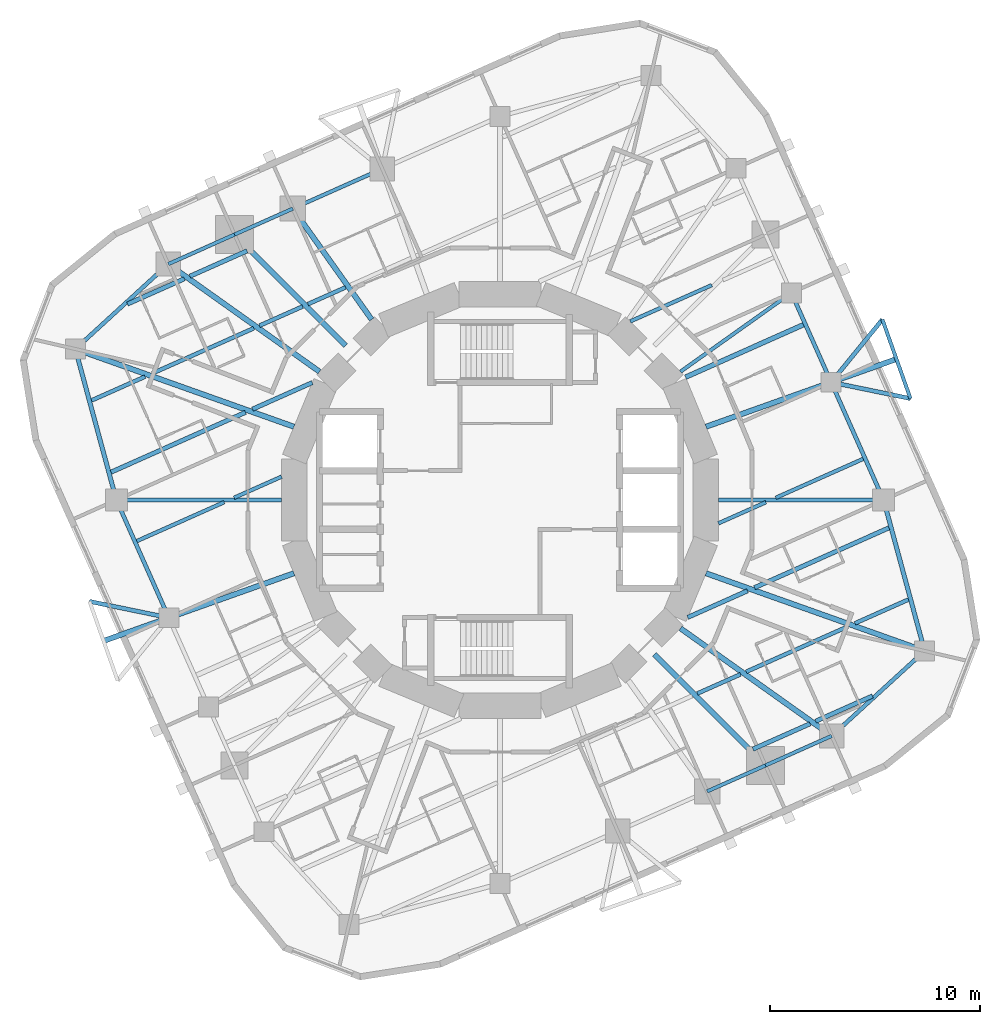
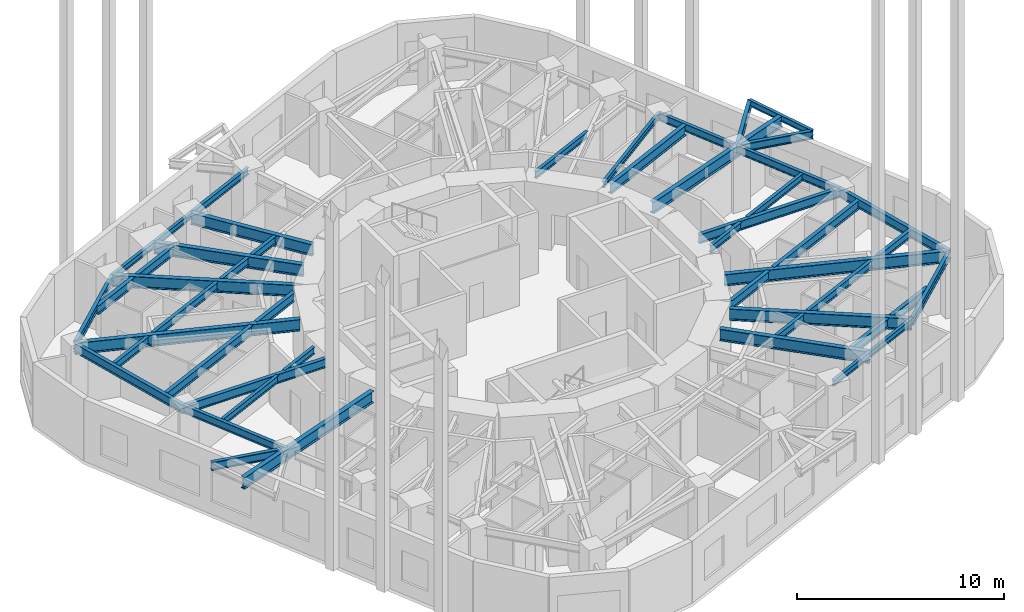
# One storey, part 2 of 11: 49 beams.
"""IFC4 building model written with IfcOpenShell, lengths in metres."""

from ifc_helpers import new_model, si_unit, direction, frame, origin, origin_2d, place, context, subcontext, project, spatial, i_section, extrude, material, material_profile, profile_set, type_object, element, save


model = new_model("IFC4")

# Units and contexts
model_context = context("Model", 3, precision=1e-05, world=origin(), true_north=direction((0.0, 1.0)))
body_context = subcontext(model_context, "Body", "Model", "MODEL_VIEW")
ifc_project = project(units=[si_unit("LENGTHUNIT", "METRE"), si_unit("AREAUNIT", "SQUARE_METRE"), si_unit("VOLUMEUNIT", "CUBIC_METRE"), si_unit("PLANEANGLEUNIT", "RADIAN"), si_unit("MASSUNIT", "GRAM", prefix="KILO")], contexts=[model_context])

# Site, building, storey
site_placement = place(None, origin())
site = spatial("IfcSite", under=ifc_project, at=site_placement, CompositionType="ELEMENT")
building_placement = place(site_placement, origin())
building = spatial("IfcBuilding", under=site, at=building_placement, Name="Nakasero Lantern House", CompositionType="ELEMENT")
storey_placement = place(building_placement, frame((0.0, 0.0, 182.449951171875)))
storey = spatial("IfcBuildingStorey", under=building, at=storey_placement, Name="L44", CompositionType="ELEMENT", Elevation=182.449951171875)

# Beams
ifc_material_1 = material(Name="Steel S355", Category="steel")
ifc_material_profile_1 = material_profile(ifc_material_1, i_section(OverallWidth=0.199462890625, OverallDepth=0.491943359375, WebThickness=0.01806640625, FlangeThickness=0.031982421875, FilletRadius=0.01025390625, at=origin_2d()), Name="UB 457x191x161")
ifc_profile_set_1 = profile_set([ifc_material_profile_1], Name="Steel S355")
beam_type_1 = type_object("IfcBeamType", Name="Balcony splay beam UB 457x191x161", PredefinedType="BEAM", material=ifc_profile_set_1)
beam_1_placement = place(storey_placement, frame((15.781982421875, 5.611328125, 3.404052734375), z_axis=(0.632165712937, 0.774833215206, 0.0), x_axis=(-0.774833215206, 0.632165712937, 0.0)))
element("IfcBeam", 1, at=beam_1_placement, inside=storey, type_object=beam_type_1, Name="Balcony splay beam L45 B5-C04A", PredefinedType="BEAM", context=body_context, shape_type="SweptSolid", body=[
    extrude(i_section(OverallWidth=0.199462890625, OverallDepth=0.491943359375, WebThickness=0.01806640625, FlangeThickness=0.031982421875, FilletRadius=0.01025390625, at=origin_2d()), origin(), (0.0, 0.0, 1.0), 3.85888671875),
])
for number, where, z_axis, x_axis, name in (
    (2, (15.781982421875, 5.611328125, 3.404052734375), (0.979420272605, -0.201831438605, 0.0), (0.201831438605, 0.979420272605, 0.0), "Balcony splay beam L45 B5-C04B"),
    (3, (-15.781982421875, -5.611328125, 3.404052734375), (-0.979420272605, 0.201831438605, 0.0), (-0.201831438605, -0.979420272605, 0.0), "Balcony splay beam L45 B5-C16B"),
):
    element("IfcBeam", number, at=place(storey_placement, frame(where, z_axis=z_axis, x_axis=x_axis)), inside=storey, type_object=beam_type_1, Name=name, PredefinedType="BEAM", context=body_context, shape_type="SweptSolid", body=[
        extrude(i_section(OverallWidth=0.199462890625, OverallDepth=0.491943359375, WebThickness=0.01806640625, FlangeThickness=0.031982421875, FilletRadius=0.01025390625, at=origin_2d()), origin(), (0.0, 0.0, 1.0), 3.858642578125),
    ])
ifc_material_2 = material(Name="Steel S355", Category="steel")
ifc_material_profile_2 = material_profile(ifc_material_2, i_section(OverallWidth=0.17138671875, OverallDepth=0.35498046875, WebThickness=0.00732421875, FlangeThickness=0.011474609375, FilletRadius=0.01025390625, at=origin_2d()), Name="UB 356x171x51")
ifc_profile_set_2 = profile_set([ifc_material_profile_2], Name="Steel S355")
beam_type_2 = type_object("IfcBeamType", Name="Balcony tie beam UB 356x171x51", PredefinedType="BEAM", material=ifc_profile_set_2)
beam_2_placement = place(storey_placement, frame((18.221435546875, 8.601318359375, 3.47265625), z_axis=(0.334971134582, -0.94222839004, 0.0), x_axis=(0.94222839004, 0.334971134582, 0.0)))
element("IfcBeam", 4, at=beam_2_placement, inside=storey, type_object=beam_type_2, Name="Balcony tie beam L45 B5-C04", PredefinedType="BEAM", context=body_context, shape_type="SweptSolid", body=[
    extrude(i_section(OverallWidth=0.17138671875, OverallDepth=0.35498046875, WebThickness=0.00732421875, FlangeThickness=0.011474609375, FilletRadius=0.01025390625, at=origin_2d()), origin(), (0.0, 0.0, 1.0), 4.0),
])
ifc_material_3 = material(Name="Steel S355", Category="steel")
ifc_material_profile_3 = material_profile(ifc_material_3, i_section(OverallWidth=0.177978515625, OverallDepth=0.406494140625, WebThickness=0.0078125, FlangeThickness=0.0126953125, FilletRadius=0.01025390625, at=origin_2d()), Name="UB 406x178x60")
ifc_profile_set_3 = profile_set([ifc_material_profile_3], Name="Steel S355")
beam_type_3 = type_object("IfcBeamType", Name="Infill beam UB 406x178x60", PredefinedType="JOIST", material=ifc_profile_set_3)
beam_3_placement = place(storey_placement, frame((10.407958984375, -1.113037109375, 3.44677734375), z_axis=(0.913531019811, 0.406769069427, 0.0), x_axis=(-0.406769069427, 0.913531019811, 0.0)))
element("IfcBeam", 5, at=beam_3_placement, inside=storey, type_object=beam_type_3, Name="Infill beam L45 06.3", PredefinedType="JOIST", context=body_context, shape_type="SweptSolid", body=[
    extrude(i_section(OverallWidth=0.177978515625, OverallDepth=0.406494140625, WebThickness=0.0078125, FlangeThickness=0.0126953125, FilletRadius=0.01025390625, at=origin_2d()), origin(), (0.0, 0.0, 1.0), 2.478271484375),
])
for number, where, z_axis, x_axis, name in (
    (6, (13.1435546875, 0.10498046875, 3.44677734375), (0.913537236337, 0.406755107929, 0.0), (-0.406755107929, 0.913537236337, 0.0), "Infill beam L45 06.4"),
    (7, (-17.30419921875, -1.95751953125, 3.44677734375), (0.913537236337, 0.406755107929, 0.0), (-0.406755107929, 0.913537236337, 0.0), "Infill beam L45 09.1"),
):
    element("IfcBeam", number, at=place(storey_placement, frame(where, z_axis=z_axis, x_axis=x_axis)), inside=storey, type_object=beam_type_3, Name=name, PredefinedType="JOIST", context=body_context, shape_type="SweptSolid", body=[
        extrude(i_section(OverallWidth=0.177978515625, OverallDepth=0.406494140625, WebThickness=0.0078125, FlangeThickness=0.0126953125, FilletRadius=0.01025390625, at=origin_2d()), origin(), (0.0, 0.0, 1.0), 4.554443359375),
    ])
beam_4_placement = place(storey_placement, frame((-12.671875, 0.10498046875, 3.44677734375), z_axis=(0.913531019811, 0.406769069427, 0.0), x_axis=(-0.406769069427, 0.913531019811, 0.0)))
element("IfcBeam", 8, at=beam_4_placement, inside=storey, type_object=beam_type_3, Name="Infill beam L45 09.2", PredefinedType="JOIST", context=body_context, shape_type="SweptSolid", body=[
    extrude(i_section(OverallWidth=0.177978515625, OverallDepth=0.406494140625, WebThickness=0.0078125, FlangeThickness=0.0126953125, FilletRadius=0.01025390625, at=origin_2d()), origin(), (0.0, 0.0, 1.0), 2.478271484375),
])
beam_5_placement = place(storey_placement, frame((6.2080078125, 8.5107421875, 3.44677734375), z_axis=(0.91354134882, 0.406745871517, 0.0), x_axis=(-0.406745871517, 0.91354134882, 0.0)))
element("IfcBeam", 9, at=beam_5_placement, inside=storey, type_object=beam_type_3, Name="Infill beam L45 09.3", PredefinedType="JOIST", context=body_context, shape_type="SweptSolid", body=[
    extrude(i_section(OverallWidth=0.177978515625, OverallDepth=0.406494140625, WebThickness=0.0078125, FlangeThickness=0.0126953125, FilletRadius=0.01025390625, at=origin_2d()), origin(), (0.0, 0.0, 1.0), 4.250732421875),
])
ifc_material_4 = material(Name="Steel S355", Category="steel")
ifc_material_profile_4 = material_profile(ifc_material_4, i_section(OverallWidth=0.18994140625, OverallDepth=0.453369140625, WebThickness=0.008544921875, FlangeThickness=0.0126953125, FilletRadius=0.01025390625, at=origin_2d()), Name="UB 457x191x67")
ifc_profile_set_4 = profile_set([ifc_material_profile_4], Name="Steel S355")
beam_type_4 = type_object("IfcBeamType", Name="Infill beam UB 457x191x67", PredefinedType="JOIST", material=ifc_profile_set_4)
beam_6_placement = place(storey_placement, frame((9.403564453125, -9.22265625, 3.42333984375), z_axis=(0.913516376313, 0.406801954529, 0.0), x_axis=(-0.406801954529, 0.913516376313, 0.0)))
element("IfcBeam", 10, at=beam_6_placement, inside=storey, type_object=beam_type_4, Name="Infill beam L45 04.6", PredefinedType="JOIST", context=body_context, shape_type="SweptSolid", body=[
    extrude(i_section(OverallWidth=0.18994140625, OverallDepth=0.453369140625, WebThickness=0.008544921875, FlangeThickness=0.0126953125, FilletRadius=0.01025390625, at=origin_2d()), origin(), (0.0, 0.0, 1.0), 2.2529296875),
])
beam_7_placement = place(storey_placement, frame((11.73095703125, -8.186279296875, 3.42333984375), z_axis=(0.913558956665, 0.406706322421, 0.0), x_axis=(-0.406706322421, 0.913558956665, 0.0)))
element("IfcBeam", 11, at=beam_7_placement, inside=storey, type_object=beam_type_4, Name="Infill beam L45 04.7", PredefinedType="JOIST", context=body_context, shape_type="SweptSolid", body=[
    extrude(i_section(OverallWidth=0.18994140625, OverallDepth=0.453369140625, WebThickness=0.008544921875, FlangeThickness=0.0126953125, FilletRadius=0.01025390625, at=origin_2d()), origin(), (0.0, 0.0, 1.0), 5.3046875),
])
for number, where, z_axis, x_axis, name in (
    (12, (16.913330078125, -5.87890625, 3.42333984375), (0.913540637242, 0.4067474697, 0.0), (-0.4067474697, 0.913540637242, 0.0), "Infill beam L45 04.8"),
    (13, (-19.46142578125, 4.744384765625, 3.42333984375), (0.913540637242, 0.4067474697, 0.0), (-0.4067474697, 0.913540637242, 0.0), "Infill beam L45 11.1"),
):
    element("IfcBeam", number, at=place(storey_placement, frame(where, z_axis=z_axis, x_axis=x_axis)), inside=storey, type_object=beam_type_4, Name=name, PredefinedType="JOIST", context=body_context, shape_type="SweptSolid", body=[
        extrude(i_section(OverallWidth=0.18994140625, OverallDepth=0.453369140625, WebThickness=0.008544921875, FlangeThickness=0.0126953125, FilletRadius=0.01025390625, at=origin_2d()), origin(), (0.0, 0.0, 1.0), 2.789306640625),
    ])
beam_8_placement = place(storey_placement, frame((-16.5771484375, 6.02880859375, 3.42333984375), z_axis=(0.913558956665, 0.406706322421, 0.0), x_axis=(-0.406706322421, 0.913558956665, 0.0)))
element("IfcBeam", 14, at=beam_8_placement, inside=storey, type_object=beam_type_4, Name="Infill beam L45 11.2", PredefinedType="JOIST", context=body_context, shape_type="SweptSolid", body=[
    extrude(i_section(OverallWidth=0.18994140625, OverallDepth=0.453369140625, WebThickness=0.008544921875, FlangeThickness=0.0126953125, FilletRadius=0.01025390625, at=origin_2d()), origin(), (0.0, 0.0, 1.0), 5.3046875),
])
beam_9_placement = place(storey_placement, frame((-11.461669921875, 8.30615234375, 3.42333984375), z_axis=(0.913516376313, 0.406801954529, 0.0), x_axis=(-0.406801954529, 0.913516376313, 0.0)))
element("IfcBeam", 15, at=beam_9_placement, inside=storey, type_object=beam_type_4, Name="Infill beam L45 11.3", PredefinedType="JOIST", context=body_context, shape_type="SweptSolid", body=[
    extrude(i_section(OverallWidth=0.18994140625, OverallDepth=0.453369140625, WebThickness=0.008544921875, FlangeThickness=0.0126953125, FilletRadius=0.01025390625, at=origin_2d()), origin(), (0.0, 0.0, 1.0), 2.2529296875),
])
beam_10_placement = place(storey_placement, frame((-9.153076171875, 9.333984375, 3.42333984375), z_axis=(0.913539401307, 0.406750245556, 0.0), x_axis=(-0.406750245556, 0.913539401307, 0.0)))
element("IfcBeam", 16, at=beam_10_placement, inside=storey, type_object=beam_type_4, Name="Infill beam L45 11.4", PredefinedType="JOIST", context=body_context, shape_type="SweptSolid", body=[
    extrude(i_section(OverallWidth=0.18994140625, OverallDepth=0.453369140625, WebThickness=0.008544921875, FlangeThickness=0.0126953125, FilletRadius=0.01025390625, at=origin_2d()), origin(), (0.0, 0.0, 1.0), 1.962158203125),
])
ifc_material_5 = material(Name="Steel S355", Category="steel")
ifc_material_profile_5 = material_profile(ifc_material_5, i_section(OverallWidth=0.2099609375, OverallDepth=0.53662109375, WebThickness=0.0107421875, FlangeThickness=0.017333984375, FilletRadius=0.0126953125, at=origin_2d()), Name="UB 533x210x101")
ifc_profile_set_5 = profile_set([ifc_material_profile_5], Name="Steel S355")
beam_type_5 = type_object("IfcBeamType", Name="Infill beam UB 533x210x101", PredefinedType="JOIST", material=ifc_profile_set_5)
beam_11_placement = place(storey_placement, frame((12.054443359375, -11.87353515625, 3.381591796875), z_axis=(0.913551039628, 0.406724105501, 0.0), x_axis=(-0.406724105501, 0.913551039628, 0.0)))
element("IfcBeam", 17, at=beam_11_placement, inside=storey, type_object=beam_type_5, Name="Infill beam L45 03.2", PredefinedType="JOIST", context=body_context, shape_type="SweptSolid", body=[
    extrude(i_section(OverallWidth=0.2099609375, OverallDepth=0.53662109375, WebThickness=0.0107421875, FlangeThickness=0.017333984375, FilletRadius=0.0126953125, at=origin_2d()), origin(), (0.0, 0.0, 1.0), 2.977783203125),
])
for number, where, z_axis, x_axis, name in (
    (18, (15.044189453125, -10.54248046875, 3.381591796875), (0.91353278913, 0.406765095827, 0.0), (-0.406765095827, 0.91353278913, 0.0), "Infill beam L45 03.3"),
    (19, (-17.751708984375, 9.3369140625, 3.381591796875), (0.91353278913, 0.406765095827, 0.0), (-0.406765095827, 0.91353278913, 0.0), "Infill beam L45 12.1"),
):
    element("IfcBeam", number, at=place(storey_placement, frame(where, z_axis=z_axis, x_axis=x_axis)), inside=storey, type_object=beam_type_5, Name=name, PredefinedType="JOIST", context=body_context, shape_type="SweptSolid", body=[
        extrude(i_section(OverallWidth=0.2099609375, OverallDepth=0.53662109375, WebThickness=0.0107421875, FlangeThickness=0.017333984375, FilletRadius=0.0126953125, at=origin_2d()), origin(), (0.0, 0.0, 1.0), 2.9638671875),
    ])
beam_12_placement = place(storey_placement, frame((-14.77490234375, 10.662353515625, 3.381591796875), z_axis=(0.913551039628, 0.406724105501, 0.0), x_axis=(-0.406724105501, 0.913551039628, 0.0)))
element("IfcBeam", 20, at=beam_12_placement, inside=storey, type_object=beam_type_5, Name="Infill beam L45 12.2", PredefinedType="JOIST", context=body_context, shape_type="SweptSolid", body=[
    extrude(i_section(OverallWidth=0.2099609375, OverallDepth=0.53662109375, WebThickness=0.0107421875, FlangeThickness=0.017333984375, FilletRadius=0.0126953125, at=origin_2d()), origin(), (0.0, 0.0, 1.0), 2.977783203125),
])
ifc_material_6 = material(Name="Steel S355", Category="steel")
ifc_material_profile_6 = material_profile(ifc_material_6, i_section(OverallWidth=0.208740234375, OverallDepth=0.5283203125, WebThickness=0.009521484375, FlangeThickness=0.01318359375, FilletRadius=0.0126953125, at=origin_2d()), Name="UB 533x210x82")
ifc_profile_set_6 = profile_set([ifc_material_profile_6], Name="Steel S355")
beam_type_6 = type_object("IfcBeamType", Name="Infill beam UB 533x210x82", PredefinedType="JOIST", material=ifc_profile_set_6)
beam_13_placement = place(storey_placement, frame((8.9482421875, -5.593994140625, 3.385986328125), z_axis=(0.913555928833, 0.406713123582, 0.0), x_axis=(-0.406713123582, 0.913555928833, 0.0)))
element("IfcBeam", 21, at=beam_13_placement, inside=storey, type_object=beam_type_6, Name="Infill beam L45 05.4", PredefinedType="JOIST", context=body_context, shape_type="SweptSolid", body=[
    extrude(i_section(OverallWidth=0.208740234375, OverallDepth=0.5283203125, WebThickness=0.009521484375, FlangeThickness=0.01318359375, FilletRadius=0.0126953125, at=origin_2d()), origin(), (0.0, 0.0, 1.0), 3.113525390625),
])
for number, where, z_axis, x_axis, name in (
    (22, (12.12890625, -4.177978515625, 3.385986328125), (0.913537025225, 0.406755582067, 0.0), (-0.406755582067, 0.913537025225, 0.0), "Infill beam L45 05.5"),
    (23, (-18.53271484375, 1.32666015625, 3.385986328125), (0.913537025225, 0.406755582067, 0.0), (-0.406755582067, 0.913537025225, 0.0), "Infill beam L45 10.1"),
):
    element("IfcBeam", number, at=place(storey_placement, frame(where, z_axis=z_axis, x_axis=x_axis)), inside=storey, type_object=beam_type_6, Name=name, PredefinedType="JOIST", context=body_context, shape_type="SweptSolid", body=[
        extrude(i_section(OverallWidth=0.208740234375, OverallDepth=0.5283203125, WebThickness=0.009521484375, FlangeThickness=0.01318359375, FilletRadius=0.0126953125, at=origin_2d()), origin(), (0.0, 0.0, 1.0), 7.010009765625),
    ])
beam_14_placement = place(storey_placement, frame((-11.792724609375, 4.32763671875, 3.385986328125), z_axis=(0.913555928833, 0.406713123582, 0.0), x_axis=(-0.406713123582, 0.913555928833, 0.0)))
element("IfcBeam", 24, at=beam_14_placement, inside=storey, type_object=beam_type_6, Name="Infill beam L45 10.2", PredefinedType="JOIST", context=body_context, shape_type="SweptSolid", body=[
    extrude(i_section(OverallWidth=0.208740234375, OverallDepth=0.5283203125, WebThickness=0.009521484375, FlangeThickness=0.01318359375, FilletRadius=0.0126953125, at=origin_2d()), origin(), (0.0, 0.0, 1.0), 3.113525390625),
])
ifc_material_7 = material(Name="Steel S355", Category="steel")
ifc_material_profile_7 = material_profile(ifc_material_7, i_section(OverallWidth=0.22900390625, OverallDepth=0.6123046875, WebThickness=0.011962890625, FlangeThickness=0.01953125, FilletRadius=0.0126953125, at=origin_2d()), Name="UB 610x229x125")
ifc_profile_set_7 = profile_set([ifc_material_profile_7], Name="Steel S355")
beam_type_7 = type_object("IfcBeamType", Name="Infill beam UB 610x229x125", PredefinedType="JOIST", material=ifc_profile_set_7)
beam_15_placement = place(storey_placement, frame((8.84130859375, 5.85205078125, 3.343994140625), z_axis=(0.913552627294, 0.406720539393, 0.0), x_axis=(-0.406720539393, 0.913552627294, 0.0)))
element("IfcBeam", 25, at=beam_15_placement, inside=storey, type_object=beam_type_7, Name="Infill beam L45 08.1", PredefinedType="JOIST", context=body_context, shape_type="SweptSolid", body=[
    extrude(i_section(OverallWidth=0.22900390625, OverallDepth=0.6123046875, WebThickness=0.011962890625, FlangeThickness=0.01953125, FilletRadius=0.0126953125, at=origin_2d()), origin(), (0.0, 0.0, 1.0), 6.14794921875),
])
ifc_material_8 = material(Name="Steel S355", Category="steel")
ifc_material_profile_8 = material_profile(ifc_material_8, i_section(OverallWidth=0.17138671875, OverallDepth=0.35498046875, WebThickness=0.00732421875, FlangeThickness=0.011474609375, FilletRadius=0.01025390625, at=origin_2d()), Name="UB 356x171x51")
ifc_profile_set_8 = profile_set([ifc_material_profile_8], Name="Steel S355")
beam_type_8 = type_object("IfcBeamType", Name="Primary beam UB 356x171x51, span 6 to 9 m", PredefinedType="BEAM", material=ifc_profile_set_8)
beam_16_placement = place(storey_placement, frame((13.884521484375, 9.87353515625, 3.47265625), z_axis=(-0.8149430702, -0.57954101868, 0.0), x_axis=(0.57954101868, -0.8149430702, 0.0)))
element("IfcBeam", 26, at=beam_16_placement, inside=storey, type_object=beam_type_8, Name="Primary beam L45 B5-C05", PredefinedType="BEAM", context=body_context, shape_type="SweptSolid", body=[
    extrude(i_section(OverallWidth=0.17138671875, OverallDepth=0.35498046875, WebThickness=0.00732421875, FlangeThickness=0.011474609375, FilletRadius=0.01025390625, at=origin_2d()), origin(), (0.0, 0.0, 1.0), 6.48193359375),
])
ifc_material_9 = material(Name="Steel S355", Category="steel")
ifc_material_profile_9 = material_profile(ifc_material_9, i_section(OverallWidth=0.2099609375, OverallDepth=0.53662109375, WebThickness=0.0107421875, FlangeThickness=0.017333984375, FilletRadius=0.0126953125, at=origin_2d()), Name="UB 533x210x101")
ifc_profile_set_9 = profile_set([ifc_material_profile_9], Name="Steel S355")
beam_type_9 = type_object("IfcBeamType", Name="Primary beam UB 533x210x101, span 6 to 9 m", PredefinedType="BEAM", material=ifc_profile_set_9)
for number, where, z_axis, x_axis, name in (
    (27, (18.280517578125, 0.0, 3.381591796875), (-1.0, 0.0, 0.0), (0.0, -1.0, 0.0), "Primary beam L45 B5-C03"),
    (28, (-18.280517578125, 0.0, 3.381591796875), (1.0, 0.0, 0.0), (0.0, 1.0, 0.0), "Primary beam L45 B5-C15"),
):
    element("IfcBeam", number, at=place(storey_placement, frame(where, z_axis=z_axis, x_axis=x_axis)), inside=storey, type_object=beam_type_9, Name=name, PredefinedType="BEAM", context=body_context, shape_type="SweptSolid", body=[
        extrude(i_section(OverallWidth=0.2099609375, OverallDepth=0.53662109375, WebThickness=0.0107421875, FlangeThickness=0.017333984375, FilletRadius=0.0126953125, at=origin_2d()), origin(), (0.0, 0.0, 1.0), 7.87255859375),
    ])
ifc_material_10 = material(Name="Steel S355", Category="steel")
ifc_material_profile_10 = material_profile(ifc_material_10, i_section(OverallWidth=0.253662109375, OverallDepth=0.68359375, WebThickness=0.012451171875, FlangeThickness=0.01904296875, FilletRadius=0.01513671875, at=origin_2d()), Name="UB 686x254x140")
ifc_profile_set_10 = profile_set([ifc_material_profile_10], Name="Steel S355")
beam_type_10 = type_object("IfcBeamType", Name="Primary beam UB 686x254x140, span 6 to 9 m", PredefinedType="BEAM", material=ifc_profile_set_10)
beam_17_placement = place(storey_placement, frame((15.808837890625, -11.241943359375, 3.308349609375), z_axis=(-0.814946052543, 0.579536824926, 0.0), x_axis=(-0.579536824926, -0.814946052543, 0.0)))
element("IfcBeam", 29, at=beam_17_placement, inside=storey, type_object=beam_type_10, Name="Primary beam L45 B5-C01", PredefinedType="BEAM", context=body_context, shape_type="SweptSolid", body=[
    extrude(i_section(OverallWidth=0.253662109375, OverallDepth=0.68359375, WebThickness=0.012451171875, FlangeThickness=0.01904296875, FilletRadius=0.01513671875, at=origin_2d()), origin(), (0.0, 0.0, 1.0), 8.84326171875),
])
beam_18_placement = place(storey_placement, frame((18.891357421875, 6.717041015625, 3.308349609375), z_axis=(-0.942207397814, -0.335030177005, 0.0), x_axis=(0.335030177005, -0.942207397814, 0.0)))
element("IfcBeam", 30, at=beam_18_placement, inside=storey, type_object=beam_type_10, Name="Primary beam L45 B5-C04", PredefinedType="BEAM", context=body_context, shape_type="SweptSolid", body=[
    extrude(i_section(OverallWidth=0.253662109375, OverallDepth=0.68359375, WebThickness=0.012451171875, FlangeThickness=0.01904296875, FilletRadius=0.01513671875, at=origin_2d()), origin(), (0.0, 0.0, 1.0), 9.62841796875),
])
beam_19_placement = place(storey_placement, frame((-9.87353515625, 13.884521484375, 3.308349609375), z_axis=(0.57954101868, -0.8149430702, 0.0), x_axis=(0.8149430702, 0.57954101868, 0.0)))
element("IfcBeam", 31, at=beam_19_placement, inside=storey, type_object=beam_type_10, Name="Primary beam L45 B5-C11", PredefinedType="BEAM", context=body_context, shape_type="SweptSolid", body=[
    extrude(i_section(OverallWidth=0.253662109375, OverallDepth=0.68359375, WebThickness=0.012451171875, FlangeThickness=0.01904296875, FilletRadius=0.01513671875, at=origin_2d()), origin(), (0.0, 0.0, 1.0), 6.48193359375),
])
beam_20_placement = place(storey_placement, frame((-15.808837890625, 11.241943359375, 3.308349609375), z_axis=(0.814946052543, -0.579536824926, 0.0), x_axis=(0.579536824926, 0.814946052543, 0.0)))
element("IfcBeam", 32, at=beam_20_placement, inside=storey, type_object=beam_type_10, Name="Primary beam L45 B5-C13", PredefinedType="BEAM", context=body_context, shape_type="SweptSolid", body=[
    extrude(i_section(OverallWidth=0.253662109375, OverallDepth=0.68359375, WebThickness=0.012451171875, FlangeThickness=0.01904296875, FilletRadius=0.01513671875, at=origin_2d()), origin(), (0.0, 0.0, 1.0), 8.84326171875),
])
beam_21_placement = place(storey_placement, frame((-18.891357421875, -6.717041015625, 3.308349609375), z_axis=(0.942207397814, 0.335030177005, 0.0), x_axis=(-0.335030177005, 0.942207397814, 0.0)))
element("IfcBeam", 33, at=beam_21_placement, inside=storey, type_object=beam_type_10, Name="Primary beam L45 B5-C16", PredefinedType="BEAM", context=body_context, shape_type="SweptSolid", body=[
    extrude(i_section(OverallWidth=0.253662109375, OverallDepth=0.68359375, WebThickness=0.012451171875, FlangeThickness=0.01904296875, FilletRadius=0.01513671875, at=origin_2d()), origin(), (0.0, 0.0, 1.0), 9.62841796875),
])
ifc_material_11 = material(Name="Steel S355", Category="steel")
ifc_material_profile_11 = material_profile(ifc_material_11, i_section(OverallWidth=0.253662109375, OverallDepth=0.68359375, WebThickness=0.012451171875, FlangeThickness=0.01904296875, FilletRadius=0.01513671875, at=origin_2d()), Name="UB 686x254x140")
ifc_profile_set_11 = profile_set([ifc_material_profile_11], Name="Steel S355")
beam_type_11 = type_object("IfcBeamType", Name="Primary beam UB 686x254x140, span 9 to 12 m", PredefinedType="BEAM", material=ifc_profile_set_11)
for number, where, z_axis, x_axis, name in (
    (34, (20.2353515625, -7.19482421875, 3.308349609375), (-0.942210662535, 0.335020995468, 0.0), (-0.335020995468, -0.942210662535, 0.0), "Primary beam L45 B5-C02"),
    (35, (-20.2353515625, 7.19482421875, 3.308349609375), (0.942210662535, -0.335020995468, 0.0), (0.335020995468, 0.942210662535, 0.0), "Primary beam L45 B5-C14"),
):
    element("IfcBeam", number, at=place(storey_placement, frame(where, z_axis=z_axis, x_axis=x_axis)), inside=storey, type_object=beam_type_11, Name=name, PredefinedType="BEAM", context=body_context, shape_type="SweptSolid", body=[
        extrude(i_section(OverallWidth=0.253662109375, OverallDepth=0.68359375, WebThickness=0.012451171875, FlangeThickness=0.01904296875, FilletRadius=0.01513671875, at=origin_2d()), origin(), (0.0, 0.0, 1.0), 11.054931640625),
    ])
ifc_material_12 = material(Name="Steel S355", Category="steel")
ifc_material_profile_12 = material_profile(ifc_material_12, i_section(OverallWidth=0.255859375, OverallDepth=0.69287109375, WebThickness=0.014404296875, FlangeThickness=0.023681640625, FilletRadius=0.01513671875, at=origin_2d()), Name="UB 686x254x170")
ifc_profile_set_12 = profile_set([ifc_material_profile_12], Name="Steel S355")
beam_type_12 = type_object("IfcBeamType", Name="Primary beam UB 686x254x170, span 6 to 9 m", PredefinedType="BEAM", material=ifc_profile_set_12)
for number, where, z_axis, x_axis, name in (
    (36, (-12.64892578125, 12.64892578125, 3.3037109375), (0.707106781187, -0.707106781187, 0.0), (0.707106781187, 0.707106781187, 0.0), "Primary beam L45 B5-C12"),
    (37, (12.64892578125, -12.64892578125, 3.3037109375), (-0.707106781187, 0.707106781187, 0.0), (-0.707106781187, -0.707106781187, 0.0), "Primary beam L45 B5-C24"),
):
    element("IfcBeam", number, at=place(storey_placement, frame(where, z_axis=z_axis, x_axis=x_axis)), inside=storey, type_object=beam_type_12, Name=name, PredefinedType="BEAM", context=body_context, shape_type="SweptSolid", body=[
        extrude(i_section(OverallWidth=0.255859375, OverallDepth=0.69287109375, WebThickness=0.014404296875, FlangeThickness=0.023681640625, FilletRadius=0.01513671875, at=origin_2d()), origin(), (0.0, 0.0, 1.0), 7.48046875),
    ])
ifc_material_13 = material(Name="Steel S355", Category="steel")
ifc_material_profile_13 = material_profile(ifc_material_13, i_section(OverallWidth=0.17138671875, OverallDepth=0.35498046875, WebThickness=0.00732421875, FlangeThickness=0.011474609375, FilletRadius=0.01025390625, at=origin_2d()), Name="UB 356x171x51")
ifc_profile_set_13 = profile_set([ifc_material_profile_13], Name="Steel S355")
beam_type_13 = type_object("IfcBeamType", Name="Ring beam UB 356x171x51", PredefinedType="BEAM", material=ifc_profile_set_13)
beam_22_placement = place(storey_placement, frame((-9.87353515625, 13.884521484375, 3.47265625), z_axis=(-0.913556197925, -0.40671251915, 0.0), x_axis=(0.40671251915, -0.913556197925, 0.0)))
element("IfcBeam", 38, at=beam_22_placement, inside=storey, type_object=beam_type_13, Name="Ring beam L45 B5-C11", PredefinedType="BEAM", context=body_context, shape_type="SweptSolid", body=[
    extrude(i_section(OverallWidth=0.17138671875, OverallDepth=0.35498046875, WebThickness=0.00732421875, FlangeThickness=0.011474609375, FilletRadius=0.01025390625, at=origin_2d()), origin(), (0.0, 0.0, 1.0), 3.0380859375),
])
beam_23_placement = place(storey_placement, frame((-12.64892578125, 12.64892578125, 3.47265625), z_axis=(-0.913534832457, -0.406760506795, 0.0), x_axis=(0.406760506795, -0.913534832457, 0.0)))
element("IfcBeam", 39, at=beam_23_placement, inside=storey, type_object=beam_type_13, Name="Ring beam L45 B5-C12", PredefinedType="BEAM", context=body_context, shape_type="SweptSolid", body=[
    extrude(i_section(OverallWidth=0.17138671875, OverallDepth=0.35498046875, WebThickness=0.00732421875, FlangeThickness=0.011474609375, FilletRadius=0.01025390625, at=origin_2d()), origin(), (0.0, 0.0, 1.0), 3.458984375),
])
beam_24_placement = place(storey_placement, frame((9.87353515625, -13.884521484375, 3.47265625), z_axis=(0.913556197925, 0.40671251915, 0.0), x_axis=(-0.40671251915, 0.913556197925, 0.0)))
element("IfcBeam", 40, at=beam_24_placement, inside=storey, type_object=beam_type_13, Name="Ring beam L45 B5-C23", PredefinedType="BEAM", context=body_context, shape_type="SweptSolid", body=[
    extrude(i_section(OverallWidth=0.17138671875, OverallDepth=0.35498046875, WebThickness=0.00732421875, FlangeThickness=0.011474609375, FilletRadius=0.01025390625, at=origin_2d()), origin(), (0.0, 0.0, 1.0), 3.0380859375),
])
beam_25_placement = place(storey_placement, frame((12.64892578125, -12.64892578125, 3.47265625), z_axis=(0.913534832457, 0.406760506795, 0.0), x_axis=(-0.406760506795, 0.913534832457, 0.0)))
element("IfcBeam", 41, at=beam_25_placement, inside=storey, type_object=beam_type_13, Name="Ring beam L45 B5-C24", PredefinedType="BEAM", context=body_context, shape_type="SweptSolid", body=[
    extrude(i_section(OverallWidth=0.17138671875, OverallDepth=0.35498046875, WebThickness=0.00732421875, FlangeThickness=0.011474609375, FilletRadius=0.01025390625, at=origin_2d()), origin(), (0.0, 0.0, 1.0), 3.458984375),
])
ifc_material_14 = material(Name="Steel S355", Category="steel")
ifc_material_profile_14 = material_profile(ifc_material_14, i_section(OverallWidth=0.177978515625, OverallDepth=0.406494140625, WebThickness=0.0078125, FlangeThickness=0.0126953125, FilletRadius=0.01025390625, at=origin_2d()), Name="UB 406x178x60")
ifc_profile_set_14 = profile_set([ifc_material_profile_14], Name="Steel S355")
beam_type_14 = type_object("IfcBeamType", Name="Ring beam UB 406x178x60", PredefinedType="BEAM", material=ifc_profile_set_14)
beam_26_placement = place(storey_placement, frame((-5.611328125, 15.781982421875, 3.44677734375), z_axis=(-0.913561058639, -0.406701600856, 0.0), x_axis=(0.406701600856, -0.913561058639, 0.0)))
element("IfcBeam", 42, at=beam_26_placement, inside=storey, type_object=beam_type_14, Name="Ring beam L45 B5-C10", PredefinedType="BEAM", context=body_context, shape_type="SweptSolid", body=[
    extrude(i_section(OverallWidth=0.177978515625, OverallDepth=0.406494140625, WebThickness=0.0078125, FlangeThickness=0.0126953125, FilletRadius=0.01025390625, at=origin_2d()), origin(), (0.0, 0.0, 1.0), 4.66552734375),
])
ifc_material_15 = material(Name="Steel S355", Category="steel")
ifc_material_profile_15 = material_profile(ifc_material_15, i_section(OverallWidth=0.18994140625, OverallDepth=0.453369140625, WebThickness=0.008544921875, FlangeThickness=0.0126953125, FilletRadius=0.01025390625, at=origin_2d()), Name="UB 457x191x67")
ifc_profile_set_15 = profile_set([ifc_material_profile_15], Name="Steel S355")
beam_type_15 = type_object("IfcBeamType", Name="Ring beam UB 457x191x67", PredefinedType="BEAM", material=ifc_profile_set_15)
beam_27_placement = place(storey_placement, frame((15.808837890625, -11.241943359375, 3.42333984375), z_axis=(0.73802707447, 0.674771099966, 0.0), x_axis=(-0.674771099966, 0.73802707447, 0.0)))
element("IfcBeam", 43, at=beam_27_placement, inside=storey, type_object=beam_type_15, Name="Ring beam L45 B5-C01", PredefinedType="BEAM", context=body_context, shape_type="SweptSolid", body=[
    extrude(i_section(OverallWidth=0.18994140625, OverallDepth=0.453369140625, WebThickness=0.008544921875, FlangeThickness=0.0126953125, FilletRadius=0.01025390625, at=origin_2d()), origin(), (0.0, 0.0, 1.0), 5.997802734375),
])
beam_28_placement = place(storey_placement, frame((15.781982421875, 5.611328125, 3.42333984375), z_axis=(-0.406701600856, 0.913561058639, 0.0), x_axis=(-0.913561058639, -0.406701600856, 0.0)))
element("IfcBeam", 44, at=beam_28_placement, inside=storey, type_object=beam_type_15, Name="Ring beam L45 B5-C04", PredefinedType="BEAM", context=body_context, shape_type="SweptSolid", body=[
    extrude(i_section(OverallWidth=0.18994140625, OverallDepth=0.453369140625, WebThickness=0.008544921875, FlangeThickness=0.0126953125, FilletRadius=0.01025390625, at=origin_2d()), origin(), (0.0, 0.0, 1.0), 4.66552734375),
])
beam_29_placement = place(storey_placement, frame((-15.808837890625, 11.241943359375, 3.42333984375), z_axis=(-0.73802707447, -0.674771099966, 0.0), x_axis=(0.674771099966, -0.73802707447, 0.0)))
element("IfcBeam", 45, at=beam_29_placement, inside=storey, type_object=beam_type_15, Name="Ring beam L45 B5-C13", PredefinedType="BEAM", context=body_context, shape_type="SweptSolid", body=[
    extrude(i_section(OverallWidth=0.18994140625, OverallDepth=0.453369140625, WebThickness=0.008544921875, FlangeThickness=0.0126953125, FilletRadius=0.01025390625, at=origin_2d()), origin(), (0.0, 0.0, 1.0), 5.997802734375),
])
ifc_material_16 = material(Name="Steel S355", Category="steel")
ifc_material_profile_16 = material_profile(ifc_material_16, i_section(OverallWidth=0.19140625, OverallDepth=0.4599609375, WebThickness=0.010009765625, FlangeThickness=0.01611328125, FilletRadius=0.01025390625, at=origin_2d()), Name="UB 457x191x82")
ifc_profile_set_16 = profile_set([ifc_material_profile_16], Name="Steel S355")
beam_type_16 = type_object("IfcBeamType", Name="Ring beam UB 457x191x82", PredefinedType="BEAM", material=ifc_profile_set_16)
for number, where, z_axis, x_axis, name in (
    (46, (18.280517578125, 0.0, 3.420166015625), (-0.406765299215, 0.913532698569, 0.0), (-0.913532698569, -0.406765299215, 0.0), "Ring beam L45 B5-C03"),
    (47, (-18.280517578125, 0.0, 3.420166015625), (0.406765299215, -0.913532698569, 0.0), (0.913532698569, 0.406765299215, 0.0), "Ring beam L45 B5-C15"),
):
    element("IfcBeam", number, at=place(storey_placement, frame(where, z_axis=z_axis, x_axis=x_axis)), inside=storey, type_object=beam_type_16, Name=name, PredefinedType="BEAM", context=body_context, shape_type="SweptSolid", body=[
        extrude(i_section(OverallWidth=0.19140625, OverallDepth=0.4599609375, WebThickness=0.010009765625, FlangeThickness=0.01611328125, FilletRadius=0.01025390625, at=origin_2d()), origin(), (0.0, 0.0, 1.0), 6.142333984375),
    ])
ifc_material_17 = material(Name="Steel S355", Category="steel")
ifc_material_profile_17 = material_profile(ifc_material_17, i_section(OverallWidth=0.208740234375, OverallDepth=0.5283203125, WebThickness=0.009521484375, FlangeThickness=0.01318359375, FilletRadius=0.0126953125, at=origin_2d()), Name="UB 533x210x82")
ifc_profile_set_17 = profile_set([ifc_material_profile_17], Name="Steel S355")
beam_type_17 = type_object("IfcBeamType", Name="Ring beam UB 533x210x82", PredefinedType="BEAM", material=ifc_profile_set_17)
for number, where, z_axis, x_axis, name in (
    (48, (20.2353515625, -7.19482421875, 3.385986328125), (-0.26219461312, 0.965015017941, 0.0), (-0.965015017941, -0.26219461312, 0.0), "Ring beam L45 B5-C02"),
    (49, (-20.2353515625, 7.19482421875, 3.385986328125), (0.26219461312, -0.965015017941, 0.0), (0.965015017941, 0.26219461312, 0.0), "Ring beam L45 B5-C14"),
):
    element("IfcBeam", number, at=place(storey_placement, frame(where, z_axis=z_axis, x_axis=x_axis)), inside=storey, type_object=beam_type_17, Name=name, PredefinedType="BEAM", context=body_context, shape_type="SweptSolid", body=[
        extrude(i_section(OverallWidth=0.208740234375, OverallDepth=0.5283203125, WebThickness=0.009521484375, FlangeThickness=0.01318359375, FilletRadius=0.0126953125, at=origin_2d()), origin(), (0.0, 0.0, 1.0), 7.45556640625),
    ])

save(model, "model.ifc")
